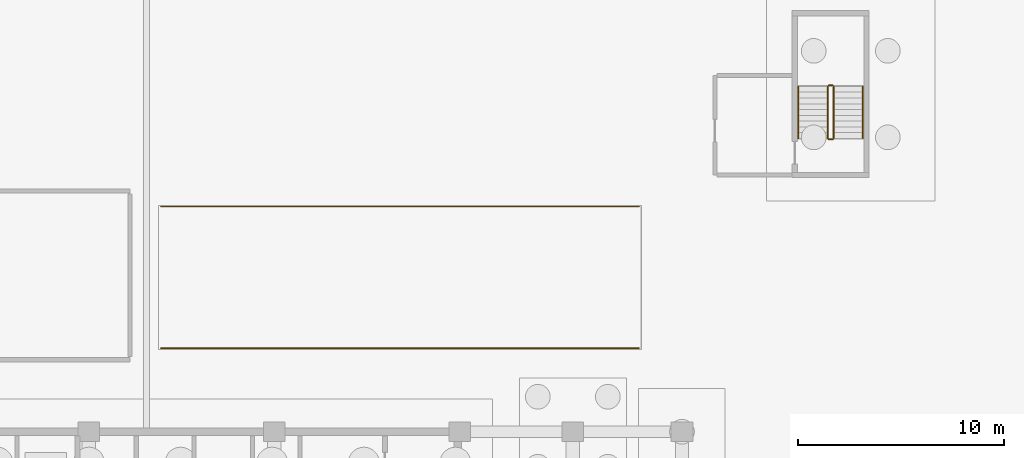
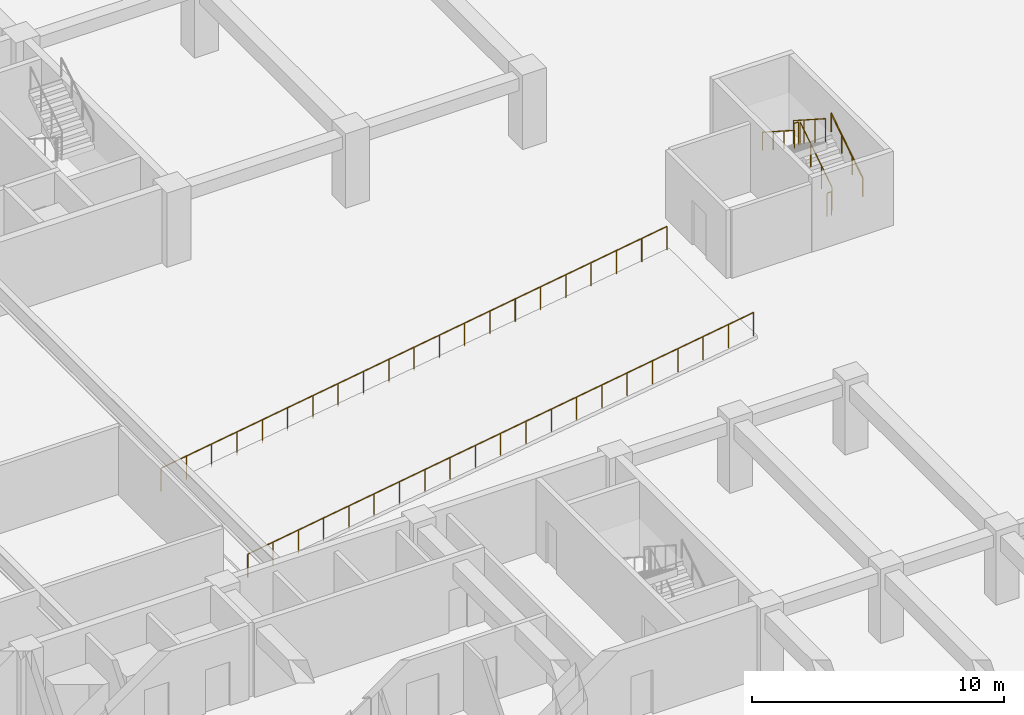
# One storey, part 24 of 26: 8 railings.
"""IFC4 building model written with IfcOpenShell, lengths in metres."""

from ifc_helpers import new_model, si_unit, direction, frame, origin, origin_2d, place, context, subcontext, project, spatial, circle, extrude, material, type_object, element, save


model = new_model("IFC4")

# Units and contexts
model_context = context("Model", 3, precision=1e-05, world=origin(), true_north=direction((0.0, 1.0)))
body_context = subcontext(model_context, "Body", "Model", "MODEL_VIEW")
ifc_project = project(units=[si_unit("LENGTHUNIT", "METRE"), si_unit("AREAUNIT", "SQUARE_METRE"), si_unit("VOLUMEUNIT", "CUBIC_METRE"), si_unit("PLANEANGLEUNIT", "RADIAN"), si_unit("MASSUNIT", "GRAM", prefix="KILO")], contexts=[model_context])

# Site, building, storey
site_placement = place(None, origin())
site = spatial("IfcSite", under=ifc_project, at=site_placement, CompositionType="ELEMENT")
building_placement = place(site_placement, origin())
building = spatial("IfcBuilding", under=site, at=building_placement, Name="Korimba Cascade Residences", CompositionType="ELEMENT")
storey_placement = place(building_placement, frame((0.0, 0.0, -10.800048828125)))
storey = spatial("IfcBuildingStorey", under=building, at=storey_placement, Name="B03", CompositionType="ELEMENT", Elevation=-10.800048828125)

# Railings
ifc_material_1 = material(Name="Painted Steel Stairwell Guardrail", Category="steel")
railing_type_1 = type_object("IfcRailingType", Name="RLG-ST-GD1150", PredefinedType="GUARDRAIL", material=ifc_material_1)
railing_1_placement = place(storey_placement, frame((136.27001953125, 44.64990234375, 0.179931640625)))
element("IfcRailing", 1, at=railing_1_placement, inside=storey, type_object=railing_type_1, Name="B03 ST-P2 stair guard 1", PredefinedType="GUARDRAIL", context=body_context, shape_type="SweptSolid", body=[
    extrude(circle(Radius=0.02392578125, at=origin_2d()), frame((0.0, 0.0, 1.1259765625), z_axis=(0.0, 0.841162588446, 0.540782303519), x_axis=(-1.0, 0.0, 0.0)), (0.0, 0.0, 1.0), 2.995849609375),
    extrude(circle(Radius=0.02099609375, at=origin_2d()), origin(), (0.0, 0.0, 1.0), 1.101806640625),
    extrude(circle(Radius=0.02099609375, at=origin_2d()), frame((0.0, 0.840087890625, 0.5400390625)), (0.0, 0.0, 1.0), 1.101806640625),
    extrude(circle(Radius=0.02099609375, at=origin_2d()), frame((0.0, 1.679931640625, 1.080078125)), (0.0, 0.0, 1.0), 1.101806640625),
    extrude(circle(Radius=0.02099609375, at=origin_2d()), frame((0.0, 2.52001953125, 1.6201171875)), (0.0, 0.0, 1.0), 1.101806640625),
])
railing_2_placement = place(storey_placement, frame((136.219970703125, 47.219970703125, 1.800048828125)))
element("IfcRailing", 2, at=railing_2_placement, inside=storey, type_object=railing_type_1, Name="B03 ST-P2 stair guard 2", PredefinedType="GUARDRAIL", context=body_context, shape_type="SweptSolid", body=[
    extrude(circle(Radius=0.02392578125, at=origin_2d()), frame((0.0, 0.0, 1.1259765625), z_axis=(-1.0, 0.0, 0.0), x_axis=(0.0, -1.0, 0.0)), (0.0, 0.0, 1.0), 0.199951171875),
    extrude(circle(Radius=0.02099609375, at=origin_2d()), origin(), (0.0, 0.0, 1.0), 1.101806640625),
    extrude(circle(Radius=0.02099609375, at=origin_2d()), frame((-0.199951171875, 0.0, 0.0)), (0.0, 0.0, 1.0), 1.101806640625),
])
railing_3_placement = place(storey_placement, frame((135.969970703125, 47.169921875, 1.97998046875)))
element("IfcRailing", 3, at=railing_3_placement, inside=storey, type_object=railing_type_1, Name="B03 ST-P2 stair guard 3", PredefinedType="GUARDRAIL", context=body_context, shape_type="SweptSolid", body=[
    extrude(circle(Radius=0.02392578125, at=origin_2d()), frame((0.0, 0.0, 1.1259765625), z_axis=(0.0, -0.841162588446, 0.540782303519), x_axis=(1.0, 0.0, 0.0)), (0.0, 0.0, 1.0), 2.995849609375),
    extrude(circle(Radius=0.02099609375, at=origin_2d()), origin(), (0.0, 0.0, 1.0), 1.101806640625),
    extrude(circle(Radius=0.02099609375, at=origin_2d()), frame((0.0, -0.840087890625, 0.5400390625)), (0.0, 0.0, 1.0), 1.101806640625),
    extrude(circle(Radius=0.02099609375, at=origin_2d()), frame((0.0, -1.679931640625, 1.080078125)), (0.0, 0.0, 1.0), 1.101806640625),
    extrude(circle(Radius=0.02099609375, at=origin_2d()), frame((0.0, -2.52001953125, 1.6201171875)), (0.0, 0.0, 1.0), 1.101806640625),
])
railing_4_placement = place(storey_placement, frame((136.219970703125, 44.60009765625, 0.0)))
element("IfcRailing", 4, at=railing_4_placement, inside=storey, type_object=railing_type_1, Name="B03 ST-P2 stair guard 4", PredefinedType="GUARDRAIL", context=body_context, shape_type="SweptSolid", body=[
    extrude(circle(Radius=0.02392578125, at=origin_2d()), frame((0.0, 0.0, 1.1259765625), z_axis=(-1.0, 0.0, 0.0), x_axis=(0.0, -1.0, 0.0)), (0.0, 0.0, 1.0), 0.199951171875),
    extrude(circle(Radius=0.02099609375, at=origin_2d()), origin(), (0.0, 0.0, 1.0), 1.101806640625),
    extrude(circle(Radius=0.02099609375, at=origin_2d()), frame((-0.199951171875, 0.0, 0.0)), (0.0, 0.0, 1.0), 1.101806640625),
])
ifc_material_2 = material(Name="Brushed Stainless Steel Handrail", Category="steel")
railing_type_2 = type_object("IfcRailingType", Name="RLG-ST-HR900", PredefinedType="HANDRAIL", material=ifc_material_2)
railing_5_placement = place(storey_placement, frame((137.68994140625, 44.64990234375, 0.36376953125)))
element("IfcRailing", 5, at=railing_5_placement, inside=storey, type_object=railing_type_2, Name="B03 ST-P2 stair handrail 1", PredefinedType="HANDRAIL", context=body_context, shape_type="SweptSolid", body=[
    extrude(circle(Radius=0.02392578125, at=origin_2d()), frame((0.0, 0.0, 0.8759765625), z_axis=(0.0, 0.841162588446, 0.540782303519), x_axis=(-1.0, 0.0, 0.0)), (0.0, 0.0, 1.0), 2.995849609375),
    extrude(circle(Radius=0.02099609375, at=origin_2d()), origin(), (0.0, 0.0, 1.0), 0.851806640625),
    extrude(circle(Radius=0.02099609375, at=origin_2d()), frame((0.0, 0.840087890625, 0.5400390625)), (0.0, 0.0, 1.0), 0.851806640625),
    extrude(circle(Radius=0.02099609375, at=origin_2d()), frame((0.0, 1.679931640625, 1.080078125)), (0.0, 0.0, 1.0), 0.851806640625),
    extrude(circle(Radius=0.02099609375, at=origin_2d()), frame((0.0, 2.52001953125, 1.6201171875)), (0.0, 0.0, 1.0), 0.851806640625),
])
railing_6_placement = place(storey_placement, frame((134.550048828125, 47.169921875, 2.163818359375)))
element("IfcRailing", 6, at=railing_6_placement, inside=storey, type_object=railing_type_2, Name="B03 ST-P2 stair handrail 2", PredefinedType="HANDRAIL", context=body_context, shape_type="SweptSolid", body=[
    extrude(circle(Radius=0.02392578125, at=origin_2d()), frame((0.0, 0.0, 0.8759765625), z_axis=(0.0, -0.841162588446, 0.540782303519), x_axis=(1.0, 0.0, 0.0)), (0.0, 0.0, 1.0), 2.995849609375),
    extrude(circle(Radius=0.02099609375, at=origin_2d()), origin(), (0.0, 0.0, 1.0), 0.851806640625),
    extrude(circle(Radius=0.02099609375, at=origin_2d()), frame((0.0, -0.840087890625, 0.5400390625)), (0.0, 0.0, 1.0), 0.851806640625),
    extrude(circle(Radius=0.02099609375, at=origin_2d()), frame((0.0, -1.679931640625, 1.080078125)), (0.0, 0.0, 1.0), 0.851806640625),
    extrude(circle(Radius=0.02099609375, at=origin_2d()), frame((0.0, -2.52001953125, 1.6201171875)), (0.0, 0.0, 1.0), 0.851806640625),
])
ifc_material_3 = material(Name="Painted Galvanised Steel Terrace Guardrail", Category="steel")
railing_type_3 = type_object("IfcRailingType", Name="RLG-TER-1150", PredefinedType="GUARDRAIL", material=ifc_material_3)
railing_7_placement = place(storey_placement, frame((103.60009765625, 34.4599609375, 0.0)))
element("IfcRailing", 7, at=railing_7_placement, inside=storey, type_object=railing_type_3, Name="B03 Vehicle Ramp S Guardrail", PredefinedType="GUARDRAIL", context=body_context, shape_type="SweptSolid", body=[
    extrude(circle(Radius=0.02392578125, at=origin_2d()), frame((0.0, 0.0, 1.1259765625), z_axis=(0.988173224178, 0.0, 0.153341706712), x_axis=(0.0, 1.0, 0.0)), (0.0, 0.0, 1.0), 23.4775390625),
    extrude(circle(Radius=0.02099609375, at=origin_2d()), origin(), (0.0, 0.0, 1.0), 1.101806640625),
    extrude(circle(Radius=0.02099609375, at=origin_2d()), frame((1.159912109375, 0.0, 0.179931640625)), (0.0, 0.0, 1.0), 1.101806640625),
    extrude(circle(Radius=0.02099609375, at=origin_2d()), frame((2.320068359375, 0.0, 0.360107421875)), (0.0, 0.0, 1.0), 1.101806640625),
    extrude(circle(Radius=0.02099609375, at=origin_2d()), frame((3.47998046875, 0.0, 0.5400390625)), (0.0, 0.0, 1.0), 1.101806640625),
    extrude(circle(Radius=0.02099609375, at=origin_2d()), frame((4.639892578125, 0.0, 0.719970703125)), (0.0, 0.0, 1.0), 1.101806640625),
    extrude(circle(Radius=0.02099609375, at=origin_2d()), frame((5.800048828125, 0.0, 0.89990234375)), (0.0, 0.0, 1.0), 1.101806640625),
    extrude(circle(Radius=0.02099609375, at=origin_2d()), frame((6.9599609375, 0.0, 1.080078125)), (0.0, 0.0, 1.0), 1.101806640625),
    extrude(circle(Radius=0.02099609375, at=origin_2d()), frame((8.119873046875, 0.0, 1.260009765625)), (0.0, 0.0, 1.0), 1.101806640625),
    extrude(circle(Radius=0.02099609375, at=origin_2d()), frame((9.280029296875, 0.0, 1.43994140625)), (0.0, 0.0, 1.0), 1.101806640625),
    extrude(circle(Radius=0.02099609375, at=origin_2d()), frame((10.43994140625, 0.0, 1.6201171875)), (0.0, 0.0, 1.0), 1.101806640625),
    extrude(circle(Radius=0.02099609375, at=origin_2d()), frame((11.60009765625, 0.0, 1.800048828125)), (0.0, 0.0, 1.0), 1.101806640625),
    extrude(circle(Radius=0.02099609375, at=origin_2d()), frame((12.760009765625, 0.0, 1.97998046875)), (0.0, 0.0, 1.0), 1.101806640625),
    extrude(circle(Radius=0.02099609375, at=origin_2d()), frame((13.919921875, 0.0, 2.16015625)), (0.0, 0.0, 1.0), 1.101806640625),
    extrude(circle(Radius=0.02099609375, at=origin_2d()), frame((15.080078125, 0.0, 2.340087890625)), (0.0, 0.0, 1.0), 1.101806640625),
    extrude(circle(Radius=0.02099609375, at=origin_2d()), frame((16.239990234375, 0.0, 2.52001953125)), (0.0, 0.0, 1.0), 1.101806640625),
    extrude(circle(Radius=0.02099609375, at=origin_2d()), frame((17.39990234375, 0.0, 2.7001953125)), (0.0, 0.0, 1.0), 1.101806640625),
    extrude(circle(Radius=0.02099609375, at=origin_2d()), frame((18.56005859375, 0.0, 2.880126953125)), (0.0, 0.0, 1.0), 1.101806640625),
    extrude(circle(Radius=0.02099609375, at=origin_2d()), frame((19.719970703125, 0.0, 3.06005859375)), (0.0, 0.0, 1.0), 1.101806640625),
    extrude(circle(Radius=0.02099609375, at=origin_2d()), frame((20.8798828125, 0.0, 3.239990234375)), (0.0, 0.0, 1.0), 1.101806640625),
    extrude(circle(Radius=0.02099609375, at=origin_2d()), frame((22.0400390625, 0.0, 3.420166015625)), (0.0, 0.0, 1.0), 1.101806640625),
    extrude(circle(Radius=0.02099609375, at=origin_2d()), frame((23.199951171875, 0.0, 3.60009765625)), (0.0, 0.0, 1.0), 1.101806640625),
])
railing_8_placement = place(storey_placement, frame((103.60009765625, 41.340087890625, 0.0)))
element("IfcRailing", 8, at=railing_8_placement, inside=storey, type_object=railing_type_3, Name="B03 Vehicle Ramp N Guardrail", PredefinedType="GUARDRAIL", context=body_context, shape_type="SweptSolid", body=[
    extrude(circle(Radius=0.02392578125, at=origin_2d()), frame((0.0, 0.0, 1.1259765625), z_axis=(0.988173224178, 0.0, 0.153341706712), x_axis=(0.0, 1.0, 0.0)), (0.0, 0.0, 1.0), 23.4775390625),
    extrude(circle(Radius=0.02099609375, at=origin_2d()), origin(), (0.0, 0.0, 1.0), 1.101806640625),
    extrude(circle(Radius=0.02099609375, at=origin_2d()), frame((1.159912109375, 0.0, 0.179931640625)), (0.0, 0.0, 1.0), 1.101806640625),
    extrude(circle(Radius=0.02099609375, at=origin_2d()), frame((2.320068359375, 0.0, 0.360107421875)), (0.0, 0.0, 1.0), 1.101806640625),
    extrude(circle(Radius=0.02099609375, at=origin_2d()), frame((3.47998046875, 0.0, 0.5400390625)), (0.0, 0.0, 1.0), 1.101806640625),
    extrude(circle(Radius=0.02099609375, at=origin_2d()), frame((4.639892578125, 0.0, 0.719970703125)), (0.0, 0.0, 1.0), 1.101806640625),
    extrude(circle(Radius=0.02099609375, at=origin_2d()), frame((5.800048828125, 0.0, 0.89990234375)), (0.0, 0.0, 1.0), 1.101806640625),
    extrude(circle(Radius=0.02099609375, at=origin_2d()), frame((6.9599609375, 0.0, 1.080078125)), (0.0, 0.0, 1.0), 1.101806640625),
    extrude(circle(Radius=0.02099609375, at=origin_2d()), frame((8.119873046875, 0.0, 1.260009765625)), (0.0, 0.0, 1.0), 1.101806640625),
    extrude(circle(Radius=0.02099609375, at=origin_2d()), frame((9.280029296875, 0.0, 1.43994140625)), (0.0, 0.0, 1.0), 1.101806640625),
    extrude(circle(Radius=0.02099609375, at=origin_2d()), frame((10.43994140625, 0.0, 1.6201171875)), (0.0, 0.0, 1.0), 1.101806640625),
    extrude(circle(Radius=0.02099609375, at=origin_2d()), frame((11.60009765625, 0.0, 1.800048828125)), (0.0, 0.0, 1.0), 1.101806640625),
    extrude(circle(Radius=0.02099609375, at=origin_2d()), frame((12.760009765625, 0.0, 1.97998046875)), (0.0, 0.0, 1.0), 1.101806640625),
    extrude(circle(Radius=0.02099609375, at=origin_2d()), frame((13.919921875, 0.0, 2.16015625)), (0.0, 0.0, 1.0), 1.101806640625),
    extrude(circle(Radius=0.02099609375, at=origin_2d()), frame((15.080078125, 0.0, 2.340087890625)), (0.0, 0.0, 1.0), 1.101806640625),
    extrude(circle(Radius=0.02099609375, at=origin_2d()), frame((16.239990234375, 0.0, 2.52001953125)), (0.0, 0.0, 1.0), 1.101806640625),
    extrude(circle(Radius=0.02099609375, at=origin_2d()), frame((17.39990234375, 0.0, 2.7001953125)), (0.0, 0.0, 1.0), 1.101806640625),
    extrude(circle(Radius=0.02099609375, at=origin_2d()), frame((18.56005859375, 0.0, 2.880126953125)), (0.0, 0.0, 1.0), 1.101806640625),
    extrude(circle(Radius=0.02099609375, at=origin_2d()), frame((19.719970703125, 0.0, 3.06005859375)), (0.0, 0.0, 1.0), 1.101806640625),
    extrude(circle(Radius=0.02099609375, at=origin_2d()), frame((20.8798828125, 0.0, 3.239990234375)), (0.0, 0.0, 1.0), 1.101806640625),
    extrude(circle(Radius=0.02099609375, at=origin_2d()), frame((22.0400390625, 0.0, 3.420166015625)), (0.0, 0.0, 1.0), 1.101806640625),
    extrude(circle(Radius=0.02099609375, at=origin_2d()), frame((23.199951171875, 0.0, 3.60009765625)), (0.0, 0.0, 1.0), 1.101806640625),
])

save(model, "model.ifc")
